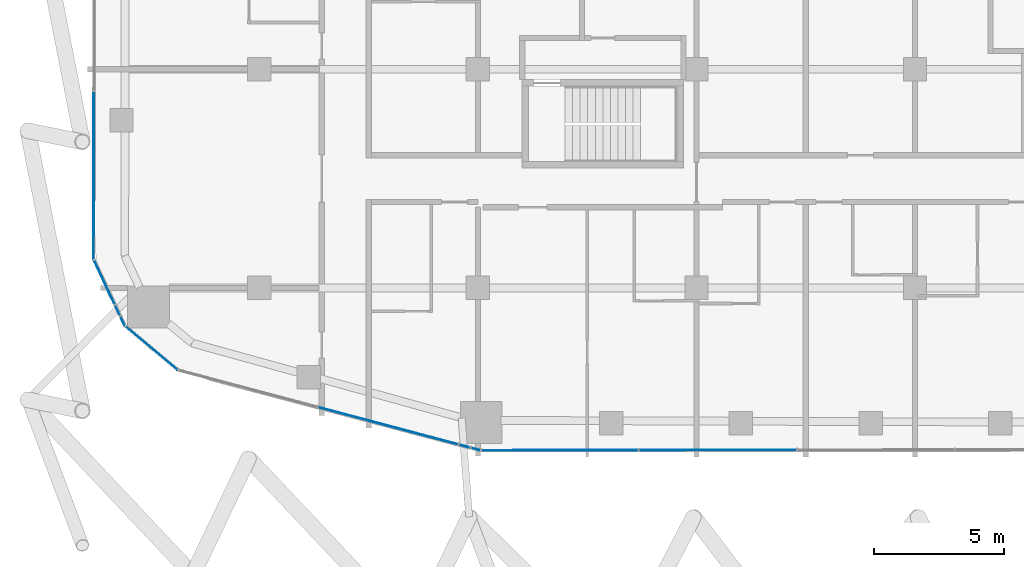
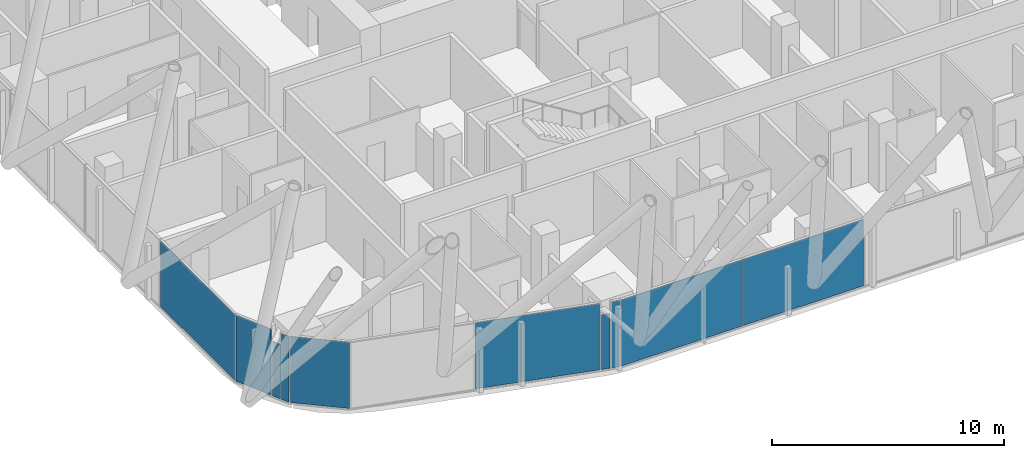
# One storey, part 20 of 34: 10 plates, 9 elements without a shape of their own.
"""IFC4 building model written with IfcOpenShell, lengths in metres."""

from ifc_helpers import new_model, si_unit, direction, frame, origin, origin_2d, place, context, subcontext, project, spatial, rectangle, extrude, material, layer, layer_set, type_object, element, aggregate, save


model = new_model("IFC4")

# Units and contexts
model_context = context("Model", 3, precision=1e-05, world=origin(), true_north=direction((0.0, 1.0)))
body_context = subcontext(model_context, "Body", "Model", "MODEL_VIEW")
ifc_project = project(units=[si_unit("LENGTHUNIT", "METRE"), si_unit("AREAUNIT", "SQUARE_METRE"), si_unit("VOLUMEUNIT", "CUBIC_METRE"), si_unit("PLANEANGLEUNIT", "RADIAN"), si_unit("MASSUNIT", "GRAM", prefix="KILO")], contexts=[model_context])

# Site, building, storey
site_placement = place(None, origin())
site = spatial("IfcSite", under=ifc_project, at=site_placement, CompositionType="ELEMENT")
building_placement = place(site_placement, origin())
building = spatial("IfcBuilding", under=site, at=building_placement, Name="Marenta Gate Hotel Tower", CompositionType="ELEMENT")
storey_placement = place(building_placement, frame((0.0, 0.0, 166.10009765625)))
storey = spatial("IfcBuildingStorey", under=building, at=storey_placement, Name="L39", CompositionType="ELEMENT", Elevation=166.10009765625)

# Curtain wall, plate
ifc_material_1 = material(Name="Tinted insulated glass in bronze anodised frame", Category="glass")
ifc_layer_1 = layer(ifc_material_1, 0.1201171875)
ifc_layer_set_1 = layer_set([ifc_layer_1], Name="Tinted insulated glass in bronze anodised frame")
curtain_wall_type = type_object("IfcCurtainWallType", Name="Tower unitised curtain wall CW1", PredefinedType="NOTDEFINED", material=ifc_layer_set_1)
curtain_wall_1_placement = place(storey_placement, origin())
curtain_wall_1 = element("IfcCurtainWall", 1, at=curtain_wall_1_placement, inside=storey, type_object=curtain_wall_type, Name="CW1 run G04", PredefinedType="NOTDEFINED")
ifc_material_2 = material(Name="Tinted insulated glass", Category="glass")
ifc_layer_2 = layer(ifc_material_2, 0.028076171875)
ifc_layer_set_2 = layer_set([ifc_layer_2], Name="Tinted insulated glass")
plate_type = type_object("IfcPlateType", Name="Glass panel CW1 28 mm tinted insulated unit", PredefinedType="CURTAIN_PANEL", material=ifc_layer_set_2)
plate_1_placement = place(storey_placement, frame((-27.367919921875, -12.478759765625, 0.059814453125), z_axis=(0.0, 0.0, 1.0), x_axis=(-0.001566045546, -0.99999877375, 0.0)))
plate_1 = element("IfcPlate", 2, at=plate_1_placement, type_object=plate_type, Name="CW1 panel 6.1", PredefinedType="CURTAIN_PANEL", context=body_context, shape_type="SweptSolid", body=[
    extrude(rectangle(XDim=6.429931640625, YDim=0.028076171875, at=origin_2d()), origin(), (0.0, 0.0, 1.0), 3.47998046875),
])
aggregate(curtain_wall_1, [plate_1])

curtain_wall_2_placement = place(storey_placement, origin())
curtain_wall_2 = element("IfcCurtainWall", 3, at=curtain_wall_2_placement, inside=storey, type_object=curtain_wall_type, Name="CW1 run G05", PredefinedType="NOTDEFINED")
plate_2_placement = place(storey_placement, frame((-26.95849609375, -16.580810546875, 0.059814453125), z_axis=(0.0, 0.0, 1.0), x_axis=(0.423346909938, -0.90596765607, 0.0)))
plate_2 = element("IfcPlate", 4, at=plate_2_placement, type_object=plate_type, Name="CW1 panel 1.1", PredefinedType="CURTAIN_PANEL", context=body_context, shape_type="SweptSolid", body=[
    extrude(rectangle(XDim=1.837890625, YDim=0.028076171875, at=origin_2d()), origin(), (0.0, 0.0, 1.0), 3.47998046875),
])
aggregate(curtain_wall_2, [plate_2])

curtain_wall_3_placement = place(storey_placement, origin())
curtain_wall_3 = element("IfcCurtainWall", 5, at=curtain_wall_3_placement, inside=storey, type_object=curtain_wall_type, Name="CW1 run G06", PredefinedType="NOTDEFINED")
plate_3_placement = place(storey_placement, frame((-26.45458984375, -17.6591796875, 0.06005859375), z_axis=(0.0, 0.0, 1.0), x_axis=(0.423361641148, -0.905960772222, 0.0)))
plate_3 = element("IfcPlate", 6, at=plate_3_placement, type_object=plate_type, Name="CW1 panel 1.1", PredefinedType="CURTAIN_PANEL", context=body_context, shape_type="SweptSolid", body=[
    extrude(rectangle(XDim=0.4228515625, YDim=0.028076171875, at=origin_2d()), origin(), (0.0, 0.0, 1.0), 2.880615234375),
])
aggregate(curtain_wall_3, [plate_3])

curtain_wall_4_placement = place(storey_placement, origin())
curtain_wall_4 = element("IfcCurtainWall", 7, at=curtain_wall_4_placement, inside=storey, type_object=curtain_wall_type, Name="CW1 run G07", PredefinedType="NOTDEFINED")
plate_4_placement = place(storey_placement, frame((-26.25732421875, -18.081298828125, 0.059814453125), z_axis=(0.0, 0.0, 1.0), x_axis=(0.42327548639, -0.906001027936, 0.0)))
plate_4 = element("IfcPlate", 8, at=plate_4_placement, type_object=plate_type, Name="CW1 panel 1.1", PredefinedType="CURTAIN_PANEL", context=body_context, shape_type="SweptSolid", body=[
    extrude(rectangle(XDim=0.38916015625, YDim=0.028076171875, at=origin_2d()), origin(), (0.0, 0.0, 1.0), 3.47998046875),
])
aggregate(curtain_wall_4, [plate_4])

curtain_wall_5_placement = place(storey_placement, origin())
curtain_wall_5 = element("IfcCurtainWall", 9, at=curtain_wall_5_placement, inside=storey, type_object=curtain_wall_type, Name="CW1 run G08", PredefinedType="NOTDEFINED")
plate_5_placement = place(storey_placement, frame((-25.14111328125, -19.1220703125, 0.059814453125), z_axis=(0.0, 0.0, 1.0), x_axis=(0.767112858807, -0.641512168126, 0.0)))
plate_5 = element("IfcPlate", 10, at=plate_5_placement, type_object=plate_type, Name="CW1 panel 1.1", PredefinedType="CURTAIN_PANEL", context=body_context, shape_type="SweptSolid", body=[
    extrude(rectangle(XDim=2.5751953125, YDim=0.028076171875, at=origin_2d()), origin(), (0.0, 0.0, 1.0), 3.47998046875),
])
aggregate(curtain_wall_5, [plate_5])

curtain_wall_6_placement = place(storey_placement, origin())
curtain_wall_6 = element("IfcCurtainWall", 11, at=curtain_wall_6_placement, inside=storey, type_object=curtain_wall_type, Name="CW1 run G09", PredefinedType="NOTDEFINED")
plate_6_placement = place(storey_placement, frame((-16.056884765625, -22.1025390625, 0.059814453125), z_axis=(0.0, 0.0, 1.0), x_axis=(0.966373224743, -0.257143521209, 0.0)))
plate_6 = element("IfcPlate", 12, at=plate_6_placement, type_object=plate_type, Name="CW1 panel 2.1", PredefinedType="CURTAIN_PANEL", context=body_context, shape_type="SweptSolid", body=[
    extrude(rectangle(XDim=5.54541015625, YDim=0.028076171875, at=origin_2d()), origin(), (0.0, 0.0, 1.0), 3.47998046875),
])
aggregate(curtain_wall_6, [plate_6])

curtain_wall_7_placement = place(storey_placement, origin())
curtain_wall_7 = element("IfcCurtainWall", 13, at=curtain_wall_7_placement, inside=storey, type_object=curtain_wall_type, Name="CW1 run G10", PredefinedType="NOTDEFINED")
plate_7_placement = place(storey_placement, frame((-13.11669921875, -22.885009765625, 0.06005859375), z_axis=(0.0, 0.0, 1.0), x_axis=(0.966366254985, -0.257169712889, 0.0)))
plate_7 = element("IfcPlate", 14, at=plate_7_placement, type_object=plate_type, Name="CW1 panel 1.1", PredefinedType="CURTAIN_PANEL", context=body_context, shape_type="SweptSolid", body=[
    extrude(rectangle(XDim=0.419921875, YDim=0.028076171875, at=origin_2d()), origin(), (0.0, 0.0, 1.0), 2.880615234375),
])
aggregate(curtain_wall_7, [plate_7])

curtain_wall_8_placement = place(storey_placement, origin())
curtain_wall_8 = element("IfcCurtainWall", 15, at=curtain_wall_8_placement, inside=storey, type_object=curtain_wall_type, Name="CW1 run G11", PredefinedType="NOTDEFINED")
plate_8_placement = place(storey_placement, frame((-12.680908203125, -23.0009765625, 0.059814453125), z_axis=(0.0, 0.0, 1.0), x_axis=(0.966380313142, -0.25711688076, 0.0)))
plate_8 = element("IfcPlate", 16, at=plate_8_placement, type_object=plate_type, Name="CW1 panel 1.1", PredefinedType="CURTAIN_PANEL", context=body_context, shape_type="SweptSolid", body=[
    extrude(rectangle(XDim=0.362060546875, YDim=0.028076171875, at=origin_2d()), origin(), (0.0, 0.0, 1.0), 3.47998046875),
])
aggregate(curtain_wall_8, [plate_8])

# Curtain wall, plates
curtain_wall_9_placement = place(storey_placement, origin())
curtain_wall_9 = element("IfcCurtainWall", 17, at=curtain_wall_9_placement, inside=storey, type_object=curtain_wall_type, Name="CW1 run G12", PredefinedType="NOTDEFINED")
plate_9_placement = place(storey_placement, frame((-9.449951171875, -23.043212890625, 0.059814453125), z_axis=(0.0, 0.0, 1.0), x_axis=(0.999999068791, 0.00136470383, 0.0)))
plate_9 = element("IfcPlate", 18, at=plate_9_placement, type_object=plate_type, Name="CW1 panel 1.1", PredefinedType="CURTAIN_PANEL", context=body_context, shape_type="SweptSolid", body=[
    extrude(rectangle(XDim=5.991943359375, YDim=0.028076171875, at=origin_2d()), origin(), (0.0, 0.0, 1.0), 3.47998046875),
])
plate_10_placement = place(storey_placement, frame((-3.383056640625, -23.03515625, 0.059814453125), z_axis=(0.0, 0.0, 1.0), x_axis=(0.999999068791, 0.00136470383, 0.0)))
plate_10 = element("IfcPlate", 19, at=plate_10_placement, type_object=plate_type, Name="CW1 panel 2.1", PredefinedType="CURTAIN_PANEL", context=body_context, shape_type="SweptSolid", body=[
    extrude(rectangle(XDim=6.02197265625, YDim=0.028076171875, at=origin_2d()), origin(), (0.0, 0.0, 1.0), 3.47998046875),
])
aggregate(curtain_wall_9, [plate_9, plate_10])

save(model, "model.ifc")
